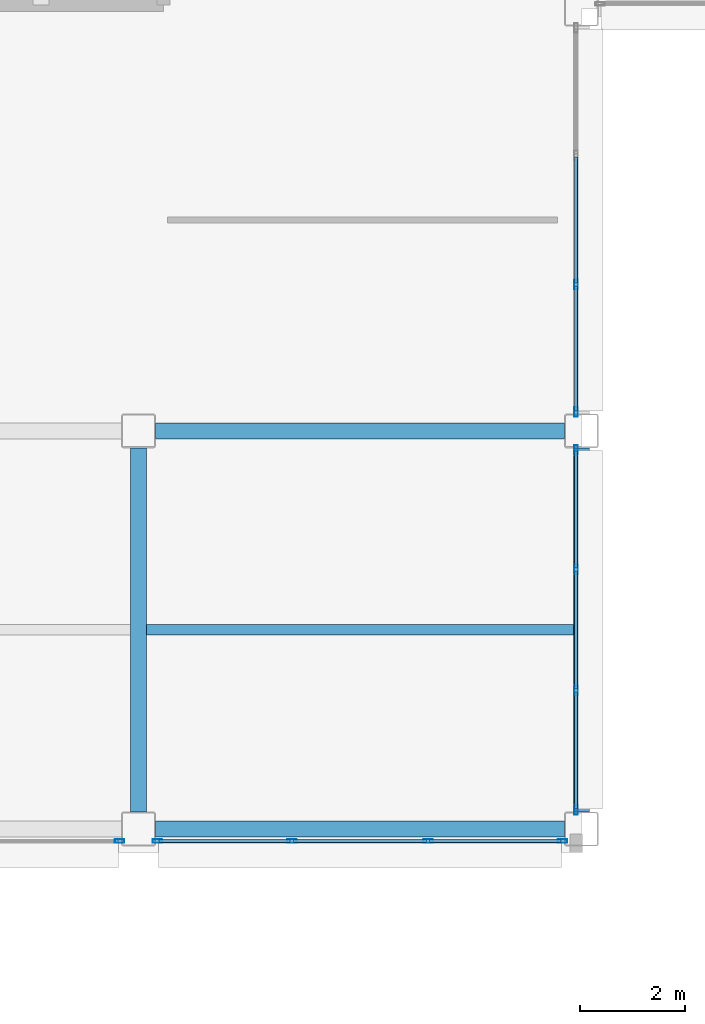
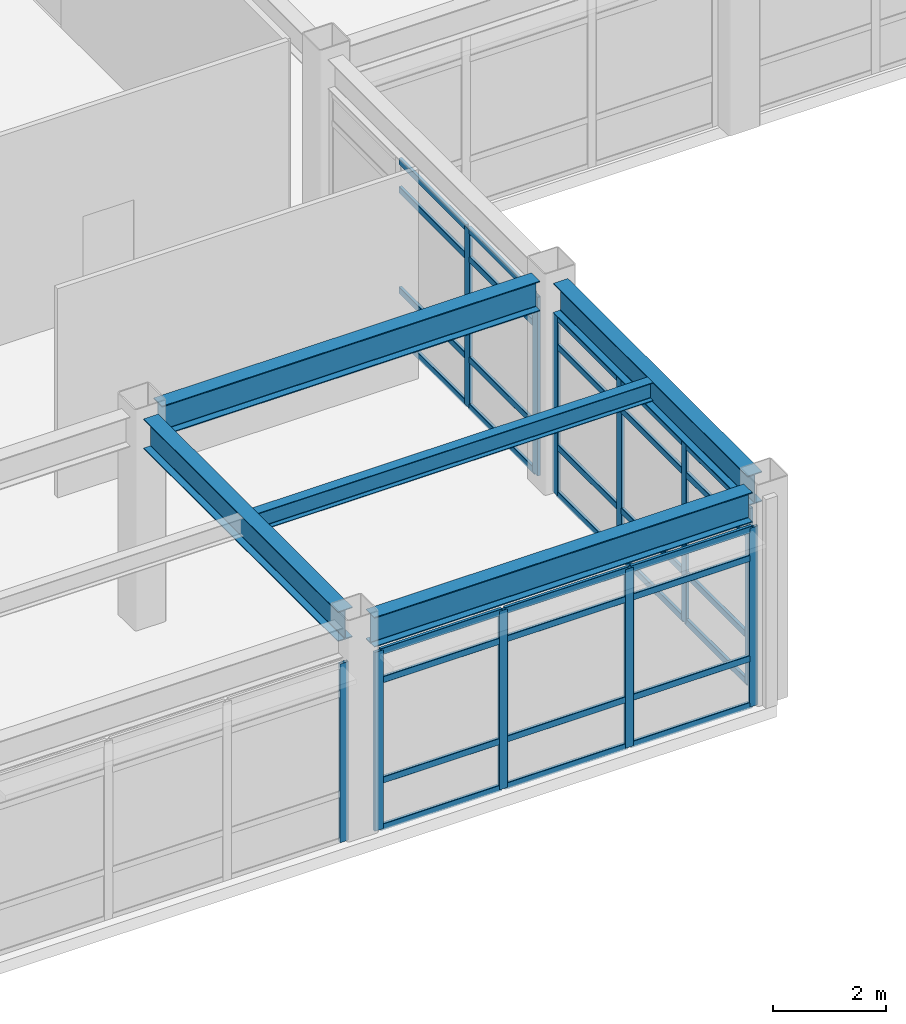
# One storey, part 40 of 172: 43 members, 5 beams, 4 elements without a shape of their own.
"""IFC4 building model written with IfcOpenShell, lengths in metres."""

from ifc_helpers import new_model, si_unit, direction, frame, origin, origin_2d, place, context, subcontext, project, spatial, hollow_rectangle, i_section, extrude, material, layer, layer_set, material_profile, profile_set, type_object, element, aggregate, save


model = new_model("IFC4")

# Units and contexts
model_context = context("Model", 3, precision=1e-05, world=origin(), true_north=direction((0.0, 1.0)))
body_context = subcontext(model_context, "Body", "Model", "MODEL_VIEW")
ifc_project = project(units=[si_unit("LENGTHUNIT", "METRE"), si_unit("AREAUNIT", "SQUARE_METRE"), si_unit("VOLUMEUNIT", "CUBIC_METRE"), si_unit("PLANEANGLEUNIT", "RADIAN"), si_unit("MASSUNIT", "GRAM", prefix="KILO")], contexts=[model_context])

# Site, building, storey
site_placement = place(None, origin())
site = spatial("IfcSite", under=ifc_project, at=site_placement, CompositionType="ELEMENT")
building_placement = place(site_placement, origin())
building = spatial("IfcBuilding", under=site, at=building_placement, Name="Kazehara Bluff Congress Hotel", CompositionType="ELEMENT")
storey_placement = place(building_placement, frame((0.0, 0.0, 5.39990234375)))
storey = spatial("IfcBuildingStorey", under=building, at=storey_placement, Name="L01", CompositionType="ELEMENT", Elevation=5.39990234375)

# Curtain wall, member
ifc_material_1 = material(Name="Anodised aluminium", Category="aluminium")
ifc_layer_1 = layer(ifc_material_1, 0.159912109375)
ifc_layer_set_1 = layer_set([ifc_layer_1], Name="Anodised aluminium")
curtain_wall_type_1 = type_object("IfcCurtainWallType", Name="TP-CW-80", PredefinedType="NOTDEFINED", material=ifc_layer_set_1)
curtain_wall_1_placement = place(storey_placement, origin())
curtain_wall_1 = element("IfcCurtainWall", 1, at=curtain_wall_1_placement, inside=storey, type_object=curtain_wall_type_1, Name="L01 curtain wall CW-80 CW-ENC-V4-L01-6368-22", PredefinedType="NOTDEFINED")
ifc_material_2 = material(Name="Anodised aluminium", Category="aluminium")
ifc_material_profile_1 = material_profile(ifc_material_2, hollow_rectangle(XDim=0.06494140625, YDim=0.179931640625, WallThickness=0.00390625, InnerFilletRadius=0.00390625, OuterFilletRadius=0.008056640625, at=origin_2d()))
ifc_profile_set_1 = profile_set([ifc_material_profile_1], Name="Anodised aluminium")
member_type_1 = type_object("IfcMemberType", Name="TP-CWM-02", PredefinedType="MULLION", material=ifc_profile_set_1)
member_1_placement = place(storey_placement, frame((67.29248046875, 0.219970703125, 0.0), z_axis=(0.0, 0.0, 1.0), x_axis=(0.0, -1.0, 0.0)))
member_1 = element("IfcMember", 2, at=member_1_placement, type_object=member_type_1, Name="CW-80 mullion 1", PredefinedType="MULLION", context=body_context, shape_type="SweptSolid", body=[
    extrude(hollow_rectangle(XDim=0.06494140625, YDim=0.179931640625, WallThickness=0.00390625, InnerFilletRadius=0.00390625, OuterFilletRadius=0.008056640625, at=origin_2d()), origin(), (0.0, 0.0, 1.0), 3.875),
])
aggregate(curtain_wall_1, [member_1])

# Curtain wall, members
ifc_material_3 = material(Name="Anodised aluminium", Category="aluminium")
ifc_layer_2 = layer(ifc_material_3, 0.159912109375)
ifc_layer_set_2 = layer_set([ifc_layer_2], Name="Anodised aluminium")
curtain_wall_type_2 = type_object("IfcCurtainWallType", Name="TP-CW-24", PredefinedType="NOTDEFINED", material=ifc_layer_set_2)
curtain_wall_2_placement = place(storey_placement, origin())
curtain_wall_2 = element("IfcCurtainWall", 3, at=curtain_wall_2_placement, inside=storey, type_object=curtain_wall_type_2, Name="L01 curtain wall CW-24 CW-ENC-V4-L01-7185-22", PredefinedType="NOTDEFINED")
member_2_placement = place(storey_placement, frame((75.6923828125, 0.219970703125, 0.0), z_axis=(0.0, 0.0, 1.0), x_axis=(0.0, -1.0, 0.0)))
member_2 = element("IfcMember", 4, at=member_2_placement, type_object=member_type_1, Name="CW-24 mullion 1", PredefinedType="MULLION", context=body_context, shape_type="SweptSolid", body=[
    extrude(hollow_rectangle(XDim=0.06494140625, YDim=0.179931640625, WallThickness=0.00390625, InnerFilletRadius=0.00390625, OuterFilletRadius=0.008056640625, at=origin_2d()), origin(), (0.0, 0.0, 1.0), 3.875),
])
member_3_placement = place(storey_placement, frame((73.1416015625, 0.219970703125, 0.0), z_axis=(0.0, 0.0, 1.0), x_axis=(0.0, -1.0, 0.0)))
member_3 = element("IfcMember", 5, at=member_3_placement, type_object=member_type_1, Name="CW-24 mullion 2", PredefinedType="MULLION", context=body_context, shape_type="SweptSolid", body=[
    extrude(hollow_rectangle(XDim=0.06494140625, YDim=0.179931640625, WallThickness=0.00390625, InnerFilletRadius=0.00390625, OuterFilletRadius=0.008056640625, at=origin_2d()), origin(), (0.0, 0.0, 1.0), 3.875),
])
member_4_placement = place(storey_placement, frame((70.558349609375, 0.219970703125, 0.0), z_axis=(0.0, 0.0, 1.0), x_axis=(0.0, -1.0, 0.0)))
member_4 = element("IfcMember", 6, at=member_4_placement, type_object=member_type_1, Name="CW-24 mullion 3", PredefinedType="MULLION", context=body_context, shape_type="SweptSolid", body=[
    extrude(hollow_rectangle(XDim=0.06494140625, YDim=0.179931640625, WallThickness=0.00390625, InnerFilletRadius=0.00390625, OuterFilletRadius=0.008056640625, at=origin_2d()), origin(), (0.0, 0.0, 1.0), 3.875),
])
member_5_placement = place(storey_placement, frame((68.007568359375, 0.219970703125, 0.0), z_axis=(0.0, 0.0, 1.0), x_axis=(0.0, -1.0, 0.0)))
member_5 = element("IfcMember", 7, at=member_5_placement, type_object=member_type_1, Name="CW-24 mullion 4", PredefinedType="MULLION", context=body_context, shape_type="SweptSolid", body=[
    extrude(hollow_rectangle(XDim=0.06494140625, YDim=0.179931640625, WallThickness=0.00390625, InnerFilletRadius=0.00390625, OuterFilletRadius=0.008056640625, at=origin_2d()), origin(), (0.0, 0.0, 1.0), 3.875),
])

ifc_material_4 = material(Name="Anodised aluminium", Category="aluminium")
ifc_layer_3 = layer(ifc_material_4, 0.159912109375)
ifc_layer_set_3 = layer_set([ifc_layer_3], Name="Anodised aluminium")
curtain_wall_type_3 = type_object("IfcCurtainWallType", Name="TP-CW-55", PredefinedType="NOTDEFINED", material=ifc_layer_set_3)
curtain_wall_3_placement = place(storey_placement, origin())
curtain_wall_3 = element("IfcCurtainWall", 8, at=curtain_wall_3_placement, inside=storey, type_object=curtain_wall_type_3, Name="L01 curtain wall CW-55 CW-ENC-V4-L01-7595-422", PredefinedType="NOTDEFINED")
member_6_placement = place(storey_placement, frame((75.949951171875, 7.642578125, 0.0), z_axis=(0.0, 0.0, 1.0), x_axis=(1.0, 0.0, 0.0)))
member_6 = element("IfcMember", 9, at=member_6_placement, type_object=member_type_1, Name="CW-55 mullion 1", PredefinedType="MULLION", context=body_context, shape_type="SweptSolid", body=[
    extrude(hollow_rectangle(XDim=0.06494140625, YDim=0.179931640625, WallThickness=0.00390625, InnerFilletRadius=0.00390625, OuterFilletRadius=0.008056640625, at=origin_2d()), origin(), (0.0, 0.0, 1.0), 3.875),
])
member_7_placement = place(storey_placement, frame((75.949951171875, 5.375, 0.0), z_axis=(0.0, 0.0, 1.0), x_axis=(1.0, 0.0, 0.0)))
member_7 = element("IfcMember", 10, at=member_7_placement, type_object=member_type_1, Name="CW-55 mullion 2", PredefinedType="MULLION", context=body_context, shape_type="SweptSolid", body=[
    extrude(hollow_rectangle(XDim=0.06494140625, YDim=0.179931640625, WallThickness=0.00390625, InnerFilletRadius=0.00390625, OuterFilletRadius=0.008056640625, at=origin_2d()), origin(), (0.0, 0.0, 1.0), 3.875),
])
member_8_placement = place(storey_placement, frame((75.949951171875, 3.074951171875, 0.0), z_axis=(0.0, 0.0, 1.0), x_axis=(1.0, 0.0, 0.0)))
member_8 = element("IfcMember", 11, at=member_8_placement, type_object=member_type_1, Name="CW-55 mullion 3", PredefinedType="MULLION", context=body_context, shape_type="SweptSolid", body=[
    extrude(hollow_rectangle(XDim=0.06494140625, YDim=0.179931640625, WallThickness=0.00390625, InnerFilletRadius=0.00390625, OuterFilletRadius=0.008056640625, at=origin_2d()), origin(), (0.0, 0.0, 1.0), 3.875),
])
member_9_placement = place(storey_placement, frame((75.949951171875, 0.8076171875, 0.0), z_axis=(0.0, 0.0, 1.0), x_axis=(1.0, 0.0, 0.0)))
member_9 = element("IfcMember", 12, at=member_9_placement, type_object=member_type_1, Name="CW-55 mullion 4", PredefinedType="MULLION", context=body_context, shape_type="SweptSolid", body=[
    extrude(hollow_rectangle(XDim=0.06494140625, YDim=0.179931640625, WallThickness=0.00390625, InnerFilletRadius=0.00390625, OuterFilletRadius=0.008056640625, at=origin_2d()), origin(), (0.0, 0.0, 1.0), 3.875),
])

ifc_material_5 = material(Name="Anodised aluminium", Category="aluminium")
ifc_layer_4 = layer(ifc_material_5, 0.159912109375)
ifc_layer_set_4 = layer_set([ifc_layer_4], Name="Anodised aluminium")
curtain_wall_type_4 = type_object("IfcCurtainWallType", Name="TP-CW-56", PredefinedType="NOTDEFINED", material=ifc_layer_set_4)
curtain_wall_4_placement = place(storey_placement, origin())
curtain_wall_4 = element("IfcCurtainWall", 13, at=curtain_wall_4_placement, inside=storey, type_object=curtain_wall_type_4, Name="L01 curtain wall CW-56 CW-ENC-V4-L01-7595-1200", PredefinedType="NOTDEFINED")
member_10_placement = place(storey_placement, frame((75.949951171875, 10.77490234375, 0.0), z_axis=(0.0, 0.0, 1.0), x_axis=(1.0, 0.0, 0.0)))
member_10 = element("IfcMember", 14, at=member_10_placement, type_object=member_type_1, Name="CW-56 mullion 3", PredefinedType="MULLION", context=body_context, shape_type="SweptSolid", body=[
    extrude(hollow_rectangle(XDim=0.06494140625, YDim=0.179931640625, WallThickness=0.00390625, InnerFilletRadius=0.00390625, OuterFilletRadius=0.008056640625, at=origin_2d()), origin(), (0.0, 0.0, 1.0), 3.875),
])
member_11_placement = place(storey_placement, frame((75.949951171875, 8.357421875, 0.0), z_axis=(0.0, 0.0, 1.0), x_axis=(1.0, 0.0, 0.0)))
member_11 = element("IfcMember", 15, at=member_11_placement, type_object=member_type_1, Name="CW-56 mullion 4", PredefinedType="MULLION", context=body_context, shape_type="SweptSolid", body=[
    extrude(hollow_rectangle(XDim=0.06494140625, YDim=0.179931640625, WallThickness=0.00390625, InnerFilletRadius=0.00390625, OuterFilletRadius=0.008056640625, at=origin_2d()), origin(), (0.0, 0.0, 1.0), 3.875),
])

# Member
ifc_material_6 = material(Name="Anodised aluminium", Category="aluminium")
ifc_material_profile_2 = material_profile(ifc_material_6, hollow_rectangle(XDim=0.06494140625, YDim=0.139892578125, WallThickness=0.00390625, InnerFilletRadius=0.00390625, OuterFilletRadius=0.008056640625, at=origin_2d()))
ifc_profile_set_2 = profile_set([ifc_material_profile_2], Name="Anodised aluminium")
member_type_2 = type_object("IfcMemberType", Name="TP-CWT-02", PredefinedType="USERDEFINED", material=ifc_profile_set_2)
member_12_placement = place(storey_placement, frame((75.659912109375, 0.219970703125, 0.03271484375), z_axis=(-1.0, 0.0, 0.0), x_axis=(0.0, -1.0, 0.0)))
member_12 = element("IfcMember", 16, at=member_12_placement, type_object=member_type_2, Name="CW-24 transom 1.1", ObjectType="TRANSOM", PredefinedType="USERDEFINED", context=body_context, shape_type="SweptSolid", body=[
    extrude(hollow_rectangle(XDim=0.06494140625, YDim=0.139892578125, WallThickness=0.00390625, InnerFilletRadius=0.00390625, OuterFilletRadius=0.008056640625, at=origin_2d()), origin(), (0.0, 0.0, 1.0), 2.48583984375),
])

member_13_placement = place(storey_placement, frame((75.659912109375, 0.219970703125, 1.050048828125), z_axis=(-1.0, 0.0, 0.0), x_axis=(0.0, -1.0, 0.0)))
member_13 = element("IfcMember", 17, at=member_13_placement, type_object=member_type_2, Name="CW-24 transom 1.2", ObjectType="TRANSOM", PredefinedType="USERDEFINED", context=body_context, shape_type="SweptSolid", body=[
    extrude(hollow_rectangle(XDim=0.06494140625, YDim=0.139892578125, WallThickness=0.00390625, InnerFilletRadius=0.00390625, OuterFilletRadius=0.008056640625, at=origin_2d()), origin(), (0.0, 0.0, 1.0), 2.48583984375),
])

member_14_placement = place(storey_placement, frame((75.659912109375, 0.219970703125, 3.22509765625), z_axis=(-1.0, 0.0, 0.0), x_axis=(0.0, -1.0, 0.0)))
member_14 = element("IfcMember", 18, at=member_14_placement, type_object=member_type_2, Name="CW-24 transom 1.3", ObjectType="TRANSOM", PredefinedType="USERDEFINED", context=body_context, shape_type="SweptSolid", body=[
    extrude(hollow_rectangle(XDim=0.06494140625, YDim=0.139892578125, WallThickness=0.00390625, InnerFilletRadius=0.00390625, OuterFilletRadius=0.008056640625, at=origin_2d()), origin(), (0.0, 0.0, 1.0), 2.48583984375),
])

member_15_placement = place(storey_placement, frame((75.659912109375, 0.219970703125, 3.842529296875), z_axis=(-1.0, 0.0, 0.0), x_axis=(0.0, -1.0, 0.0)))
member_15 = element("IfcMember", 19, at=member_15_placement, type_object=member_type_2, Name="CW-24 transom 1.4", ObjectType="TRANSOM", PredefinedType="USERDEFINED", context=body_context, shape_type="SweptSolid", body=[
    extrude(hollow_rectangle(XDim=0.06494140625, YDim=0.139892578125, WallThickness=0.00390625, InnerFilletRadius=0.00390625, OuterFilletRadius=0.008056640625, at=origin_2d()), origin(), (0.0, 0.0, 1.0), 2.48583984375),
])

member_16_placement = place(storey_placement, frame((73.109130859375, 0.219970703125, 0.03271484375), z_axis=(-1.0, 0.0, 0.0), x_axis=(0.0, -1.0, 0.0)))
member_16 = element("IfcMember", 20, at=member_16_placement, type_object=member_type_2, Name="CW-24 transom 2.1", ObjectType="TRANSOM", PredefinedType="USERDEFINED", context=body_context, shape_type="SweptSolid", body=[
    extrude(hollow_rectangle(XDim=0.06494140625, YDim=0.139892578125, WallThickness=0.00390625, InnerFilletRadius=0.00390625, OuterFilletRadius=0.008056640625, at=origin_2d()), origin(), (0.0, 0.0, 1.0), 2.518310546875),
])

member_17_placement = place(storey_placement, frame((73.109130859375, 0.219970703125, 1.050048828125), z_axis=(-1.0, 0.0, 0.0), x_axis=(0.0, -1.0, 0.0)))
member_17 = element("IfcMember", 21, at=member_17_placement, type_object=member_type_2, Name="CW-24 transom 2.2", ObjectType="TRANSOM", PredefinedType="USERDEFINED", context=body_context, shape_type="SweptSolid", body=[
    extrude(hollow_rectangle(XDim=0.06494140625, YDim=0.139892578125, WallThickness=0.00390625, InnerFilletRadius=0.00390625, OuterFilletRadius=0.008056640625, at=origin_2d()), origin(), (0.0, 0.0, 1.0), 2.518310546875),
])

member_18_placement = place(storey_placement, frame((73.109130859375, 0.219970703125, 3.22509765625), z_axis=(-1.0, 0.0, 0.0), x_axis=(0.0, -1.0, 0.0)))
member_18 = element("IfcMember", 22, at=member_18_placement, type_object=member_type_2, Name="CW-24 transom 2.3", ObjectType="TRANSOM", PredefinedType="USERDEFINED", context=body_context, shape_type="SweptSolid", body=[
    extrude(hollow_rectangle(XDim=0.06494140625, YDim=0.139892578125, WallThickness=0.00390625, InnerFilletRadius=0.00390625, OuterFilletRadius=0.008056640625, at=origin_2d()), origin(), (0.0, 0.0, 1.0), 2.518310546875),
])

member_19_placement = place(storey_placement, frame((73.109130859375, 0.219970703125, 3.842529296875), z_axis=(-1.0, 0.0, 0.0), x_axis=(0.0, -1.0, 0.0)))
member_19 = element("IfcMember", 23, at=member_19_placement, type_object=member_type_2, Name="CW-24 transom 2.4", ObjectType="TRANSOM", PredefinedType="USERDEFINED", context=body_context, shape_type="SweptSolid", body=[
    extrude(hollow_rectangle(XDim=0.06494140625, YDim=0.139892578125, WallThickness=0.00390625, InnerFilletRadius=0.00390625, OuterFilletRadius=0.008056640625, at=origin_2d()), origin(), (0.0, 0.0, 1.0), 2.518310546875),
])

member_20_placement = place(storey_placement, frame((70.52587890625, 0.219970703125, 0.03271484375), z_axis=(-1.0, 0.0, 0.0), x_axis=(0.0, -1.0, 0.0)))
member_20 = element("IfcMember", 24, at=member_20_placement, type_object=member_type_2, Name="CW-24 transom 3.1", ObjectType="TRANSOM", PredefinedType="USERDEFINED", context=body_context, shape_type="SweptSolid", body=[
    extrude(hollow_rectangle(XDim=0.06494140625, YDim=0.139892578125, WallThickness=0.00390625, InnerFilletRadius=0.00390625, OuterFilletRadius=0.008056640625, at=origin_2d()), origin(), (0.0, 0.0, 1.0), 2.48583984375),
])

member_21_placement = place(storey_placement, frame((70.52587890625, 0.219970703125, 1.050048828125), z_axis=(-1.0, 0.0, 0.0), x_axis=(0.0, -1.0, 0.0)))
member_21 = element("IfcMember", 25, at=member_21_placement, type_object=member_type_2, Name="CW-24 transom 3.2", ObjectType="TRANSOM", PredefinedType="USERDEFINED", context=body_context, shape_type="SweptSolid", body=[
    extrude(hollow_rectangle(XDim=0.06494140625, YDim=0.139892578125, WallThickness=0.00390625, InnerFilletRadius=0.00390625, OuterFilletRadius=0.008056640625, at=origin_2d()), origin(), (0.0, 0.0, 1.0), 2.48583984375),
])

member_22_placement = place(storey_placement, frame((70.52587890625, 0.219970703125, 3.22509765625), z_axis=(-1.0, 0.0, 0.0), x_axis=(0.0, -1.0, 0.0)))
member_22 = element("IfcMember", 26, at=member_22_placement, type_object=member_type_2, Name="CW-24 transom 3.3", ObjectType="TRANSOM", PredefinedType="USERDEFINED", context=body_context, shape_type="SweptSolid", body=[
    extrude(hollow_rectangle(XDim=0.06494140625, YDim=0.139892578125, WallThickness=0.00390625, InnerFilletRadius=0.00390625, OuterFilletRadius=0.008056640625, at=origin_2d()), origin(), (0.0, 0.0, 1.0), 2.48583984375),
])

member_23_placement = place(storey_placement, frame((70.52587890625, 0.219970703125, 3.842529296875), z_axis=(-1.0, 0.0, 0.0), x_axis=(0.0, -1.0, 0.0)))
member_23 = element("IfcMember", 27, at=member_23_placement, type_object=member_type_2, Name="CW-24 transom 3.4", ObjectType="TRANSOM", PredefinedType="USERDEFINED", context=body_context, shape_type="SweptSolid", body=[
    extrude(hollow_rectangle(XDim=0.06494140625, YDim=0.139892578125, WallThickness=0.00390625, InnerFilletRadius=0.00390625, OuterFilletRadius=0.008056640625, at=origin_2d()), origin(), (0.0, 0.0, 1.0), 2.48583984375),
])

aggregate(curtain_wall_2, [member_2, member_3, member_4, member_5, member_12, member_13, member_14, member_15, member_16, member_17, member_18, member_19, member_20, member_21, member_22, member_23])

member_24_placement = place(storey_placement, frame((75.949951171875, 7.610107421875, 0.03271484375), z_axis=(0.0, -1.0, 0.0), x_axis=(1.0, 0.0, 0.0)))
member_24 = element("IfcMember", 28, at=member_24_placement, type_object=member_type_2, Name="CW-55 transom 1.1", ObjectType="TRANSOM", PredefinedType="USERDEFINED", context=body_context, shape_type="SweptSolid", body=[
    extrude(hollow_rectangle(XDim=0.06494140625, YDim=0.139892578125, WallThickness=0.00390625, InnerFilletRadius=0.00390625, OuterFilletRadius=0.008056640625, at=origin_2d()), origin(), (0.0, 0.0, 1.0), 2.20263671875),
])

member_25_placement = place(storey_placement, frame((75.949951171875, 7.610107421875, 1.050048828125), z_axis=(0.0, -1.0, 0.0), x_axis=(1.0, 0.0, 0.0)))
member_25 = element("IfcMember", 29, at=member_25_placement, type_object=member_type_2, Name="CW-55 transom 1.2", ObjectType="TRANSOM", PredefinedType="USERDEFINED", context=body_context, shape_type="SweptSolid", body=[
    extrude(hollow_rectangle(XDim=0.06494140625, YDim=0.139892578125, WallThickness=0.00390625, InnerFilletRadius=0.00390625, OuterFilletRadius=0.008056640625, at=origin_2d()), origin(), (0.0, 0.0, 1.0), 2.20263671875),
])

member_26_placement = place(storey_placement, frame((75.949951171875, 7.610107421875, 3.22509765625), z_axis=(0.0, -1.0, 0.0), x_axis=(1.0, 0.0, 0.0)))
member_26 = element("IfcMember", 30, at=member_26_placement, type_object=member_type_2, Name="CW-55 transom 1.3", ObjectType="TRANSOM", PredefinedType="USERDEFINED", context=body_context, shape_type="SweptSolid", body=[
    extrude(hollow_rectangle(XDim=0.06494140625, YDim=0.139892578125, WallThickness=0.00390625, InnerFilletRadius=0.00390625, OuterFilletRadius=0.008056640625, at=origin_2d()), origin(), (0.0, 0.0, 1.0), 2.20263671875),
])

member_27_placement = place(storey_placement, frame((75.949951171875, 7.610107421875, 3.842529296875), z_axis=(0.0, -1.0, 0.0), x_axis=(1.0, 0.0, 0.0)))
member_27 = element("IfcMember", 31, at=member_27_placement, type_object=member_type_2, Name="CW-55 transom 1.4", ObjectType="TRANSOM", PredefinedType="USERDEFINED", context=body_context, shape_type="SweptSolid", body=[
    extrude(hollow_rectangle(XDim=0.06494140625, YDim=0.139892578125, WallThickness=0.00390625, InnerFilletRadius=0.00390625, OuterFilletRadius=0.008056640625, at=origin_2d()), origin(), (0.0, 0.0, 1.0), 2.20263671875),
])

member_28_placement = place(storey_placement, frame((75.949951171875, 5.342529296875, 0.03271484375), z_axis=(0.0, -1.0, 0.0), x_axis=(1.0, 0.0, 0.0)))
member_28 = element("IfcMember", 32, at=member_28_placement, type_object=member_type_2, Name="CW-55 transom 2.1", ObjectType="TRANSOM", PredefinedType="USERDEFINED", context=body_context, shape_type="SweptSolid", body=[
    extrude(hollow_rectangle(XDim=0.06494140625, YDim=0.139892578125, WallThickness=0.00390625, InnerFilletRadius=0.00390625, OuterFilletRadius=0.008056640625, at=origin_2d()), origin(), (0.0, 0.0, 1.0), 2.235107421875),
])

member_29_placement = place(storey_placement, frame((75.949951171875, 5.342529296875, 1.050048828125), z_axis=(0.0, -1.0, 0.0), x_axis=(1.0, 0.0, 0.0)))
member_29 = element("IfcMember", 33, at=member_29_placement, type_object=member_type_2, Name="CW-55 transom 2.2", ObjectType="TRANSOM", PredefinedType="USERDEFINED", context=body_context, shape_type="SweptSolid", body=[
    extrude(hollow_rectangle(XDim=0.06494140625, YDim=0.139892578125, WallThickness=0.00390625, InnerFilletRadius=0.00390625, OuterFilletRadius=0.008056640625, at=origin_2d()), origin(), (0.0, 0.0, 1.0), 2.235107421875),
])

member_30_placement = place(storey_placement, frame((75.949951171875, 5.342529296875, 3.22509765625), z_axis=(0.0, -1.0, 0.0), x_axis=(1.0, 0.0, 0.0)))
member_30 = element("IfcMember", 34, at=member_30_placement, type_object=member_type_2, Name="CW-55 transom 2.3", ObjectType="TRANSOM", PredefinedType="USERDEFINED", context=body_context, shape_type="SweptSolid", body=[
    extrude(hollow_rectangle(XDim=0.06494140625, YDim=0.139892578125, WallThickness=0.00390625, InnerFilletRadius=0.00390625, OuterFilletRadius=0.008056640625, at=origin_2d()), origin(), (0.0, 0.0, 1.0), 2.235107421875),
])

member_31_placement = place(storey_placement, frame((75.949951171875, 5.342529296875, 3.842529296875), z_axis=(0.0, -1.0, 0.0), x_axis=(1.0, 0.0, 0.0)))
member_31 = element("IfcMember", 35, at=member_31_placement, type_object=member_type_2, Name="CW-55 transom 2.4", ObjectType="TRANSOM", PredefinedType="USERDEFINED", context=body_context, shape_type="SweptSolid", body=[
    extrude(hollow_rectangle(XDim=0.06494140625, YDim=0.139892578125, WallThickness=0.00390625, InnerFilletRadius=0.00390625, OuterFilletRadius=0.008056640625, at=origin_2d()), origin(), (0.0, 0.0, 1.0), 2.235107421875),
])

member_32_placement = place(storey_placement, frame((75.949951171875, 3.04248046875, 0.03271484375), z_axis=(0.0, -1.0, 0.0), x_axis=(1.0, 0.0, 0.0)))
member_32 = element("IfcMember", 36, at=member_32_placement, type_object=member_type_2, Name="CW-55 transom 3.1", ObjectType="TRANSOM", PredefinedType="USERDEFINED", context=body_context, shape_type="SweptSolid", body=[
    extrude(hollow_rectangle(XDim=0.06494140625, YDim=0.139892578125, WallThickness=0.00390625, InnerFilletRadius=0.00390625, OuterFilletRadius=0.008056640625, at=origin_2d()), origin(), (0.0, 0.0, 1.0), 2.202392578125),
])

member_33_placement = place(storey_placement, frame((75.949951171875, 3.04248046875, 1.050048828125), z_axis=(0.0, -1.0, 0.0), x_axis=(1.0, 0.0, 0.0)))
member_33 = element("IfcMember", 37, at=member_33_placement, type_object=member_type_2, Name="CW-55 transom 3.2", ObjectType="TRANSOM", PredefinedType="USERDEFINED", context=body_context, shape_type="SweptSolid", body=[
    extrude(hollow_rectangle(XDim=0.06494140625, YDim=0.139892578125, WallThickness=0.00390625, InnerFilletRadius=0.00390625, OuterFilletRadius=0.008056640625, at=origin_2d()), origin(), (0.0, 0.0, 1.0), 2.202392578125),
])

member_34_placement = place(storey_placement, frame((75.949951171875, 3.04248046875, 3.22509765625), z_axis=(0.0, -1.0, 0.0), x_axis=(1.0, 0.0, 0.0)))
member_34 = element("IfcMember", 38, at=member_34_placement, type_object=member_type_2, Name="CW-55 transom 3.3", ObjectType="TRANSOM", PredefinedType="USERDEFINED", context=body_context, shape_type="SweptSolid", body=[
    extrude(hollow_rectangle(XDim=0.06494140625, YDim=0.139892578125, WallThickness=0.00390625, InnerFilletRadius=0.00390625, OuterFilletRadius=0.008056640625, at=origin_2d()), origin(), (0.0, 0.0, 1.0), 2.202392578125),
])

member_35_placement = place(storey_placement, frame((75.949951171875, 3.04248046875, 3.842529296875), z_axis=(0.0, -1.0, 0.0), x_axis=(1.0, 0.0, 0.0)))
member_35 = element("IfcMember", 39, at=member_35_placement, type_object=member_type_2, Name="CW-55 transom 3.4", ObjectType="TRANSOM", PredefinedType="USERDEFINED", context=body_context, shape_type="SweptSolid", body=[
    extrude(hollow_rectangle(XDim=0.06494140625, YDim=0.139892578125, WallThickness=0.00390625, InnerFilletRadius=0.00390625, OuterFilletRadius=0.008056640625, at=origin_2d()), origin(), (0.0, 0.0, 1.0), 2.202392578125),
])

aggregate(curtain_wall_3, [member_6, member_7, member_8, member_9, member_24, member_25, member_26, member_27, member_28, member_29, member_30, member_31, member_32, member_33, member_34, member_35])

member_36_placement = place(storey_placement, frame((75.949951171875, 13.1923828125, 0.03271484375), z_axis=(0.0, -1.0, 0.0), x_axis=(1.0, 0.0, 0.0)))
member_36 = element("IfcMember", 40, at=member_36_placement, type_object=member_type_2, Name="CW-56 transom 2.1", ObjectType="TRANSOM", PredefinedType="USERDEFINED", context=body_context, shape_type="SweptSolid", body=[
    extrude(hollow_rectangle(XDim=0.06494140625, YDim=0.139892578125, WallThickness=0.00390625, InnerFilletRadius=0.00390625, OuterFilletRadius=0.008056640625, at=origin_2d()), origin(), (0.0, 0.0, 1.0), 2.384765625),
])

member_37_placement = place(storey_placement, frame((75.949951171875, 13.1923828125, 1.050048828125), z_axis=(0.0, -1.0, 0.0), x_axis=(1.0, 0.0, 0.0)))
member_37 = element("IfcMember", 41, at=member_37_placement, type_object=member_type_2, Name="CW-56 transom 2.2", ObjectType="TRANSOM", PredefinedType="USERDEFINED", context=body_context, shape_type="SweptSolid", body=[
    extrude(hollow_rectangle(XDim=0.06494140625, YDim=0.139892578125, WallThickness=0.00390625, InnerFilletRadius=0.00390625, OuterFilletRadius=0.008056640625, at=origin_2d()), origin(), (0.0, 0.0, 1.0), 2.384765625),
])

member_38_placement = place(storey_placement, frame((75.949951171875, 13.1923828125, 3.22509765625), z_axis=(0.0, -1.0, 0.0), x_axis=(1.0, 0.0, 0.0)))
member_38 = element("IfcMember", 42, at=member_38_placement, type_object=member_type_2, Name="CW-56 transom 2.3", ObjectType="TRANSOM", PredefinedType="USERDEFINED", context=body_context, shape_type="SweptSolid", body=[
    extrude(hollow_rectangle(XDim=0.06494140625, YDim=0.139892578125, WallThickness=0.00390625, InnerFilletRadius=0.00390625, OuterFilletRadius=0.008056640625, at=origin_2d()), origin(), (0.0, 0.0, 1.0), 2.384765625),
])

member_39_placement = place(storey_placement, frame((75.949951171875, 13.1923828125, 3.842529296875), z_axis=(0.0, -1.0, 0.0), x_axis=(1.0, 0.0, 0.0)))
member_39 = element("IfcMember", 43, at=member_39_placement, type_object=member_type_2, Name="CW-56 transom 2.4", ObjectType="TRANSOM", PredefinedType="USERDEFINED", context=body_context, shape_type="SweptSolid", body=[
    extrude(hollow_rectangle(XDim=0.06494140625, YDim=0.139892578125, WallThickness=0.00390625, InnerFilletRadius=0.00390625, OuterFilletRadius=0.008056640625, at=origin_2d()), origin(), (0.0, 0.0, 1.0), 2.384765625),
])

member_40_placement = place(storey_placement, frame((75.949951171875, 10.742431640625, 0.03271484375), z_axis=(0.0, -1.0, 0.0), x_axis=(1.0, 0.0, 0.0)))
member_40 = element("IfcMember", 44, at=member_40_placement, type_object=member_type_2, Name="CW-56 transom 3.1", ObjectType="TRANSOM", PredefinedType="USERDEFINED", context=body_context, shape_type="SweptSolid", body=[
    extrude(hollow_rectangle(XDim=0.06494140625, YDim=0.139892578125, WallThickness=0.00390625, InnerFilletRadius=0.00390625, OuterFilletRadius=0.008056640625, at=origin_2d()), origin(), (0.0, 0.0, 1.0), 2.3525390625),
])

member_41_placement = place(storey_placement, frame((75.949951171875, 10.742431640625, 1.050048828125), z_axis=(0.0, -1.0, 0.0), x_axis=(1.0, 0.0, 0.0)))
member_41 = element("IfcMember", 45, at=member_41_placement, type_object=member_type_2, Name="CW-56 transom 3.2", ObjectType="TRANSOM", PredefinedType="USERDEFINED", context=body_context, shape_type="SweptSolid", body=[
    extrude(hollow_rectangle(XDim=0.06494140625, YDim=0.139892578125, WallThickness=0.00390625, InnerFilletRadius=0.00390625, OuterFilletRadius=0.008056640625, at=origin_2d()), origin(), (0.0, 0.0, 1.0), 2.3525390625),
])

member_42_placement = place(storey_placement, frame((75.949951171875, 10.742431640625, 3.22509765625), z_axis=(0.0, -1.0, 0.0), x_axis=(1.0, 0.0, 0.0)))
member_42 = element("IfcMember", 46, at=member_42_placement, type_object=member_type_2, Name="CW-56 transom 3.3", ObjectType="TRANSOM", PredefinedType="USERDEFINED", context=body_context, shape_type="SweptSolid", body=[
    extrude(hollow_rectangle(XDim=0.06494140625, YDim=0.139892578125, WallThickness=0.00390625, InnerFilletRadius=0.00390625, OuterFilletRadius=0.008056640625, at=origin_2d()), origin(), (0.0, 0.0, 1.0), 2.3525390625),
])

member_43_placement = place(storey_placement, frame((75.949951171875, 10.742431640625, 3.842529296875), z_axis=(0.0, -1.0, 0.0), x_axis=(1.0, 0.0, 0.0)))
member_43 = element("IfcMember", 47, at=member_43_placement, type_object=member_type_2, Name="CW-56 transom 3.4", ObjectType="TRANSOM", PredefinedType="USERDEFINED", context=body_context, shape_type="SweptSolid", body=[
    extrude(hollow_rectangle(XDim=0.06494140625, YDim=0.139892578125, WallThickness=0.00390625, InnerFilletRadius=0.00390625, OuterFilletRadius=0.008056640625, at=origin_2d()), origin(), (0.0, 0.0, 1.0), 2.3525390625),
])

aggregate(curtain_wall_4, [member_10, member_11, member_36, member_37, member_38, member_39, member_40, member_41, member_42, member_43])

# Beams
ifc_material_7 = material(Name="Steel SN490B", Category="steel")
ifc_material_profile_3 = material_profile(ifc_material_7, i_section(OverallWidth=0.300048828125, OverallDepth=0.64990234375, WebThickness=0.011962890625, FlangeThickness=0.02001953125, FilletRadius=0.012939453125, at=origin_2d()))
ifc_profile_set_3 = profile_set([ifc_material_profile_3], Name="Steel SN490B")
beam_type_1 = type_object("IfcBeamType", Name="TP-G-03", PredefinedType="BEAM", material=ifc_profile_set_3)
for number, where, z_axis, x_axis, name in (
    (48, (67.64990234375, 0.77490234375, 4.22509765625), (0.0, 1.0, 0.0), (-1.0, 0.0, 0.0), "L01 girder G-03 155"),
    (49, (76.050048828125, 0.77490234375, 4.22509765625), (0.0, 1.0, 0.0), (-1.0, 0.0, 0.0), "L01 girder G-03 162"),
):
    element("IfcBeam", number, at=place(storey_placement, frame(where, z_axis=z_axis, x_axis=x_axis)), inside=storey, type_object=beam_type_1, Name=name, PredefinedType="BEAM", context=body_context, shape_type="SweptSolid", body=[
        extrude(i_section(OverallWidth=0.300048828125, OverallDepth=0.64990234375, WebThickness=0.011962890625, FlangeThickness=0.02001953125, FilletRadius=0.012939453125, at=origin_2d()), origin(), (0.0, 0.0, 1.0), 6.900146484375),
    ])
for number, where, z_axis, x_axis, name in (
    (50, (67.97509765625, 0.449951171875, 4.22509765625), (1.0, 0.0, 0.0), (0.0, 1.0, 0.0), "L01 girder G-03 186"),
    (51, (67.97509765625, 8.0, 4.22509765625), (1.0, 0.0, 0.0), (0.0, 1.0, 0.0), "L01 girder G-03 188"),
):
    element("IfcBeam", number, at=place(storey_placement, frame(where, z_axis=z_axis, x_axis=x_axis)), inside=storey, type_object=beam_type_1, Name=name, PredefinedType="BEAM", context=body_context, shape_type="SweptSolid", body=[
        extrude(i_section(OverallWidth=0.300048828125, OverallDepth=0.64990234375, WebThickness=0.011962890625, FlangeThickness=0.02001953125, FilletRadius=0.012939453125, at=origin_2d()), origin(), (0.0, 0.0, 1.0), 7.75),
    ])
ifc_material_8 = material(Name="Steel SN400B", Category="steel")
ifc_material_profile_4 = material_profile(ifc_material_8, i_section(OverallWidth=0.199951171875, OverallDepth=0.39990234375, WebThickness=0.008056640625, FlangeThickness=0.012939453125, FilletRadius=0.012939453125, at=origin_2d()))
ifc_profile_set_4 = profile_set([ifc_material_profile_4], Name="Steel SN400B")
beam_type_2 = type_object("IfcBeamType", Name="TP-J-03", PredefinedType="JOIST", material=ifc_profile_set_4)
beam_placement = place(storey_placement, frame((67.800048828125, 4.22509765625, 4.35009765625), z_axis=(1.0, 0.0, 0.0), x_axis=(0.0, 1.0, 0.0)))
element("IfcBeam", 52, at=beam_placement, inside=storey, type_object=beam_type_2, Name="L01 secondary joist J-03 39", PredefinedType="JOIST", context=body_context, shape_type="SweptSolid", body=[
    extrude(i_section(OverallWidth=0.199951171875, OverallDepth=0.39990234375, WebThickness=0.008056640625, FlangeThickness=0.012939453125, FilletRadius=0.012939453125, at=origin_2d()), origin(), (0.0, 0.0, 1.0), 8.099853515625),
])

save(model, "model.ifc")
